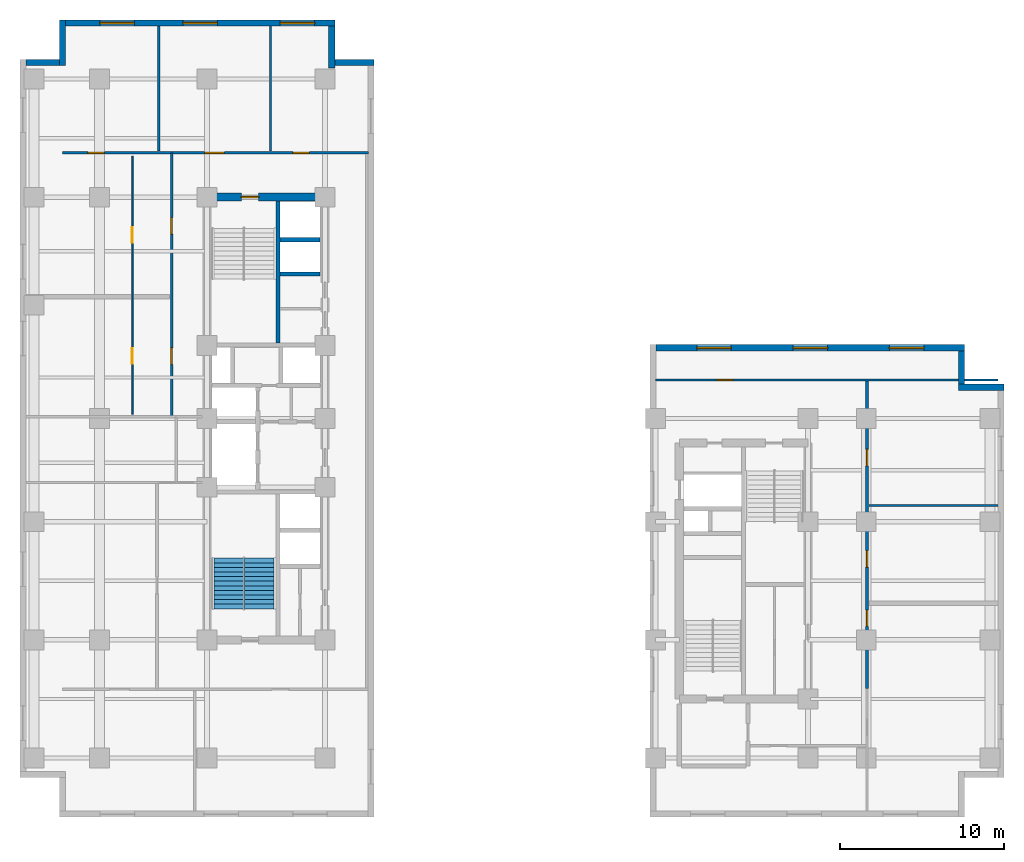
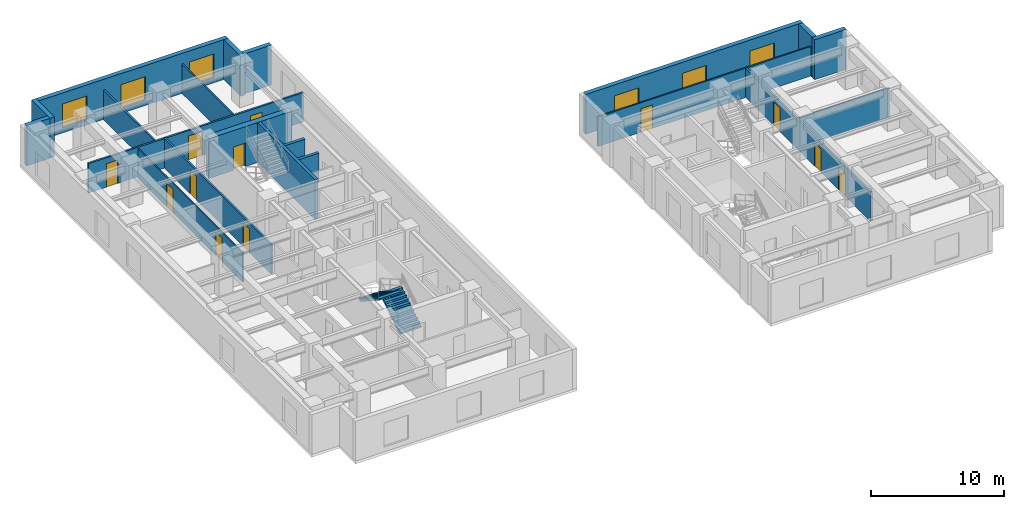
# One storey, part 5 of 9: 20 walls, 12 doors, 6 windows, 2 stair flights, 18 openings, 1 element without a shape of its own.
"""IFC4 building model written with IfcOpenShell, lengths in metres."""

import ifcopenshell
import ifcopenshell.guid

model = None  # the IFC model being written
_history = None  # IfcOwnerHistory: only IFC2X3 demands one
_inside = {}  # id of a spatial element -> (the spatial element, [elements in it])
_under = {}  # id of a project, library or spatial element -> (it, [spatial elements below it])
_declared = {}  # id of a project -> (the project, [libraries it declares])
_typed = {}  # id of a type object -> (the type object, [elements of that type])
_made_of = {}  # id of a material, layer set ... -> (it, [elements and type objects made of it])


def new_model(schema):
    """Start an empty IFC model of exactly this schema.

    Asked for "IFC4X3", IfcOpenShell would pick the latest addendum, in which some entities
    have other attributes; the version numbers below select the first issue.
    IFC2X3 requires an IfcOwnerHistory on every rooted entity: one is made here for all.
    """
    global model, _history
    if schema == "IFC4X3":
        model = ifcopenshell.file(schema_version=(4, 3, 0, 0))
    else:
        model = ifcopenshell.file(schema=schema)
    _inside.clear()
    _under.clear()
    _declared.clear()
    _typed.clear()
    _made_of.clear()
    _history = None
    if model.schema == "IFC2X3":
        org = make("IfcOrganization", Name="unknown")
        user = make(
            "IfcPersonAndOrganization",
            ThePerson=make("IfcPerson", FamilyName="unknown"),
            TheOrganization=org,
        )
        app = make(
            "IfcApplication",
            ApplicationDeveloper=org,
            Version="unknown",
            ApplicationFullName="unknown",
            ApplicationIdentifier="unknown",
        )
        _history = make(
            "IfcOwnerHistory",
            OwningUser=user,
            OwningApplication=app,
            ChangeAction="ADDED",
            CreationDate=0,
        )
    return model


def make(cls, **values):
    """One entity of the class cls with the attributes given. An attribute that is None is left unset."""
    return model.create_entity(
        cls, **{name: value for name, value in values.items() if value is not None}
    )


def entity(cls, *values):
    """Any entity or typed value of the class cls, its attributes in the order of the schema. None: left unset."""
    e = model.create_entity(cls)
    for i, value in enumerate(values):
        if value is not None:
            e[i] = value
    return e


def rooted(cls, **values):
    """An entity with a GlobalId (a new one), such as an element, a storey or a relation."""
    return make(cls, GlobalId=ifcopenshell.guid.new(), OwnerHistory=_history, **values)


def si_unit(unit_type, name, prefix=None):
    """IfcSIUnit, for example si_unit("LENGTHUNIT", "METRE", prefix="MILLI")."""
    return make("IfcSIUnit", UnitType=unit_type, Prefix=prefix, Name=name)


def converted_unit(unit_type, name, factor, base, dimensions=None, offset=None):
    """IfcConversionBasedUnit, such as the inch: factor (a typed value) times the base unit."""
    return make(
        "IfcConversionBasedUnit"
        if offset is None
        else "IfcConversionBasedUnitWithOffset",
        ConversionOffset=offset,
        Dimensions=None
        if dimensions is None
        else entity("IfcDimensionalExponents", *dimensions),
        UnitType=unit_type,
        Name=name,
        ConversionFactor=make(
            "IfcMeasureWithUnit", ValueComponent=factor, UnitComponent=base
        ),
    )


def assignment(units):
    """IfcUnitAssignment: the units of a project."""
    return None if units is None else make("IfcUnitAssignment", Units=units)


def point(xyz):
    """IfcCartesianPoint."""
    return None if xyz is None else make("IfcCartesianPoint", Coordinates=xyz)


def direction(xyz):
    """IfcDirection."""
    return None if xyz is None else make("IfcDirection", DirectionRatios=xyz)


def frame(location, z_axis=None, x_axis=None):
    """IfcAxis2Placement3D, a coordinate frame: its origin and axes. An axis left out is left unset."""
    return make(
        "IfcAxis2Placement3D",
        Location=point(location),
        Axis=direction(z_axis),
        RefDirection=direction(x_axis),
    )


def frame_2d(location, x_axis=None):
    """IfcAxis2Placement2D, a coordinate frame in the plane: its origin and x axis."""
    return make(
        "IfcAxis2Placement2D", Location=point(location), RefDirection=direction(x_axis)
    )


def origin_with_axes():
    """The frame at (0, 0, 0) with the z axis (0, 0, 1) and the x axis (1, 0, 0) written out."""
    return frame((0.0, 0.0, 0.0), z_axis=(0.0, 0.0, 1.0), x_axis=(1.0, 0.0, 0.0))


def origin_2d_with_axis():
    """The frame at (0, 0) in the plane with the x axis (1, 0) written out."""
    return frame_2d((0.0, 0.0), x_axis=(1.0, 0.0))


def place(relative_to, where):
    """IfcLocalPlacement: puts the frame where relative to a parent placement (None: the world)."""
    return make(
        "IfcLocalPlacement", PlacementRelTo=relative_to, RelativePlacement=where
    )


def context(
    kind, dimensions, precision=None, world=None, true_north=None, identifier=None
):
    """IfcGeometricRepresentationContext, for example the 3D "Model" context."""
    return make(
        "IfcGeometricRepresentationContext",
        ContextIdentifier=identifier,
        ContextType=kind,
        CoordinateSpaceDimension=dimensions,
        Precision=precision,
        WorldCoordinateSystem=world,
        TrueNorth=true_north,
    )


def subcontext(parent, identifier, kind, view, scale=None):
    """IfcGeometricRepresentationSubContext, for example "Body" below "Model"."""
    return make(
        "IfcGeometricRepresentationSubContext",
        ContextIdentifier=identifier,
        ContextType=kind,
        ParentContext=parent,
        TargetScale=scale,
        TargetView=view,
    )


def project(units=None, contexts=None):
    """IfcProject with its units and contexts."""
    return rooted(
        "IfcProject",
        Name="project",
        RepresentationContexts=contexts,
        UnitsInContext=assignment(units),
    )


def spatial(cls, under=None, at=None, **own):
    """A site, building, storey or space (cls), placed at a placement, below another one or the project."""
    s = rooted(cls, ObjectPlacement=at, **own)
    if under is not None:
        _under.setdefault(under.id(), (under, []))[1].append(s)
    return s


def polyline(points):
    """IfcPolyline through the points."""
    return make("IfcPolyline", Points=[point(p) for p in points])


def profile(cls, at=None, kind="AREA", **sizes):
    """A parametric profile (cls). Its sizes go by their IFC names, for example OverallWidth=200.0."""
    return make(cls, ProfileType=kind, Position=at, **sizes)


def rectangle(**sizes):
    """IfcRectangleProfileDef."""
    return profile("IfcRectangleProfileDef", **sizes)


def outline(outer, holes=None, kind="AREA"):
    """IfcArbitraryClosedProfileDef: a profile drawn as a closed curve; with holes, ...WithVoids."""
    if holes is None:
        return make("IfcArbitraryClosedProfileDef", ProfileType=kind, OuterCurve=outer)
    return make(
        "IfcArbitraryProfileDefWithVoids",
        ProfileType=kind,
        OuterCurve=outer,
        InnerCurves=holes,
    )


def extrude(swept, where, along, depth):
    """IfcExtrudedAreaSolid: the profile swept, set in the frame where, extruded along a direction by depth."""
    return make(
        "IfcExtrudedAreaSolid",
        SweptArea=swept,
        Position=where,
        ExtrudedDirection=direction(along),
        Depth=depth,
    )


def shape(context_of_items, identifier, shape_type, items):
    """IfcShapeRepresentation: the items that make up one representation, for example the "Body"."""
    return make(
        "IfcShapeRepresentation",
        ContextOfItems=context_of_items,
        RepresentationIdentifier=identifier,
        RepresentationType=shape_type,
        Items=items,
    )


def material(Name=None, Category=None):
    """IfcMaterial."""
    return make("IfcMaterial", Name=Name, Category=Category)


def layer(
    of_material, thickness, ventilated=None, Name=None, Category=None, Priority=None
):
    """IfcMaterialLayer: one layer of a wall or slab, of a material (None: an air gap)."""
    return make(
        "IfcMaterialLayer",
        Material=of_material,
        LayerThickness=thickness,
        IsVentilated=ventilated,
        Name=Name,
        Category=Category,
        Priority=Priority,
    )


def layer_set(layers, Name=None):
    """IfcMaterialLayerSet."""
    return make("IfcMaterialLayerSet", MaterialLayers=layers, LayerSetName=Name)


def made_of(thing, what):
    """Note that an element or type object is made of a material, layer set ...; save() writes the relation."""
    if what is not None:
        _made_of.setdefault(what.id(), (what, []))[1].append(thing)
    return thing


def type_object(cls, material=None, **own):
    """A type object (cls), such as IfcWallType, which elements share."""
    return made_of(rooted(cls, **own), material)


def element(
    cls,
    number,
    at=None,
    inside=None,
    cuts=None,
    type_object=None,
    material=None,
    context=None,
    identifier="Body",
    shape_type=None,
    held_by="IfcProductDefinitionShape",
    body=None,
    shapes=None,
    **own,
):
    """One element of the class cls, such as IfcWall. Its Tag is "e" and its number.

    at: its placement. inside: the storey or other place that contains it. cuts: it is an
    opening in that element (IfcRelVoidsElement). A single representation is given by context,
    identifier, shape_type and body (its items); several are given by shapes. held_by: the class
    of the entity that holds the representations. save() writes the other relations.
    """
    e = rooted(cls, Tag="e%d" % number, ObjectPlacement=at, **own)
    if body is not None:
        shapes = [shape(context, identifier, shape_type, body)]
    if shapes is not None:
        e.Representation = make(held_by, Representations=shapes)
    if inside is not None:
        _inside.setdefault(inside.id(), (inside, []))[1].append(e)
    if cuts is not None:
        rooted(
            "IfcRelVoidsElement", RelatingBuildingElement=cuts, RelatedOpeningElement=e
        )
    if type_object is not None:
        _typed.setdefault(type_object.id(), (type_object, []))[1].append(e)
    return made_of(e, material)


def fill(opening, filler):
    """IfcRelFillsElement: the door or window that sits in an opening."""
    return rooted(
        "IfcRelFillsElement",
        RelatingOpeningElement=opening,
        RelatedBuildingElement=filler,
    )


def aggregate(whole, parts):
    """IfcRelAggregates: a whole, such as a stair, and the parts it consists of."""
    return rooted("IfcRelAggregates", RelatingObject=whole, RelatedObjects=parts)


def save(model, path):
    """Write the relations noted so far, then the file.

    IfcRelAggregates (storeys below a building ...), IfcRelContainedInSpatialStructure (elements
    in a storey), IfcRelDefinesByType, IfcRelAssociatesMaterial and IfcRelDeclares: one each for
    every whole, place, type object, material and project.
    """
    for whole, parts in _under.values():
        aggregate(whole, parts)
    for where, things in _inside.values():
        rooted(
            "IfcRelContainedInSpatialStructure",
            RelatedElements=things,
            RelatingStructure=where,
        )
    for kind, things in _typed.values():
        rooted("IfcRelDefinesByType", RelatedObjects=things, RelatingType=kind)
    for what, things in _made_of.values():
        rooted("IfcRelAssociatesMaterial", RelatedObjects=things, RelatingMaterial=what)
    for by, libraries in _declared.values():
        rooted("IfcRelDeclares", RelatingContext=by, RelatedDefinitions=libraries)
    model.write(path)


model = new_model("IFC4")

# Units and contexts
model_context = context("Model", 3, precision=1e-05, world=origin_with_axes(), true_north=direction((0.0, 1.0)))
body_context = subcontext(model_context, "Body", "Model", "MODEL_VIEW")
ifc_project = project(units=[si_unit("LENGTHUNIT", "METRE"), si_unit("AREAUNIT", "SQUARE_METRE"), si_unit("VOLUMEUNIT", "CUBIC_METRE"), converted_unit("PLANEANGLEUNIT", "DEGREE", entity("IfcPlaneAngleMeasure", 0.017453292519943295), si_unit("PLANEANGLEUNIT", "RADIAN"), dimensions=[0, 0, 0, 0, 0, 0, 0]), si_unit("MASSUNIT", "GRAM", prefix="KILO"), si_unit("THERMODYNAMICTEMPERATUREUNIT", "KELVIN")], contexts=[model_context])

# Site, building, storey
site_placement = place(None, origin_with_axes())
site = spatial("IfcSite", under=ifc_project, at=site_placement, CompositionType="ELEMENT")
building_placement = place(site_placement, origin_with_axes())
building = spatial("IfcBuilding", under=site, at=building_placement, Name="Varnlund Millrace Tower", CompositionType="ELEMENT")
storey_placement = place(building_placement, frame((0.0, 0.0, 112.5), z_axis=(0.0, 0.0, 1.0), x_axis=(1.0, 0.0, 0.0)))
storey = spatial("IfcBuildingStorey", under=building, at=storey_placement, Name="L27", CompositionType="ELEMENT", Elevation=112.5)

# Wall, opening, door
ifc_material_1 = material(Name="Concrete C70/85", Category="concrete")
ifc_layer_1 = layer(ifc_material_1, 0.5, Name="Concrete C70/85")
ifc_layer_set_1 = layer_set([ifc_layer_1], Name="Concrete C70/85")
wall_type_1 = type_object("IfcWallType", Name="Type-CoreWall-Shear-500-C70", PredefinedType="SHEAR", material=ifc_layer_set_1)
wall_1_placement = place(storey_placement, frame((11.4, 37.8, 0.0), z_axis=(0.0, 0.0, 1.0), x_axis=(1.0, 0.0, 0.0)))
wall_1 = element("IfcWall", 1, at=wall_1_placement, inside=storey, type_object=wall_type_1, Name="Type-CoreWall-Shear-500-C70", PredefinedType="SHEAR", context=body_context, shape_type="SweptSolid", body=[
    extrude(outline(polyline([(0.0, -0.25), (7.2, -0.25), (7.2, 0.25), (0.0, 0.25), (0.0, -0.25)])), origin_with_axes(), (0.0, 0.0, 1.0), 3.66),
])
opening_1_placement = place(wall_1_placement, frame((2.625, 0.0, 0.0), z_axis=(0.0, 0.0, 1.0), x_axis=(1.0, 0.0, 0.0)))
opening_1 = element("IfcOpeningElement", 2, at=opening_1_placement, cuts=wall_1, Name="Opening L27:DR-STA2", PredefinedType="OPENING", context=body_context, shape_type="SweptSolid", body=[
    extrude(rectangle(XDim=1.05, YDim=0.52, at=origin_2d_with_axis()), origin_with_axes(), (0.0, 0.0, 1.0), 2.15),
])
ifc_material_2 = material(Name="Fire-rated hollow steel door", Category="steel")
door_type_1 = type_object("IfcDoorType", Name="Type-FireDoor-Stair-1050X2150", OperationType="NOTDEFINED", PredefinedType="DOOR", material=ifc_material_2)
door_1_placement = place(wall_1_placement, frame((2.625, 0.0, 0.0), z_axis=(0.0, 0.0, 1.0), x_axis=(1.0, 0.0, 0.0)))
door_1 = element("IfcDoor", 3, at=door_1_placement, inside=storey, type_object=door_type_1, Name="Type-FireDoor-Stair-1050X2150", OperationType="SINGLE_SWING_RIGHT", OverallHeight=2.15, OverallWidth=1.05, PredefinedType="DOOR", context=body_context, shape_type="SweptSolid", body=[
    extrude(rectangle(XDim=1.05, YDim=0.09, at=origin_2d_with_axis()), origin_with_axes(), (0.0, 0.0, 1.0), 2.15),
])
fill(opening_1, door_1)

# Walls
ifc_material_3 = material(Name="Precast concrete C50/60", Category="concrete")
ifc_layer_2 = layer(ifc_material_3, 0.38, Name="Precast concrete C50/60")
ifc_layer_set_2 = layer_set([ifc_layer_2], Name="Precast concrete C50/60")
wall_type_2 = type_object("IfcWallType", Name="Type-ExtWall-Precast-Tube-380", PredefinedType="SOLIDWALL", material=ifc_layer_set_2)
wall_2_placement = place(storey_placement, frame((0.38, 46.01, 0.0), z_axis=(0.0, 0.0, 1.0), x_axis=(1.0, 0.0, 0.0)))
element("IfcWall", 4, at=wall_2_placement, inside=storey, type_object=wall_type_2, Name="Type-ExtWall-Precast-Tube-380", PredefinedType="SOLIDWALL", context=body_context, shape_type="SweptSolid", body=[
    extrude(outline(polyline([(0.0, -0.19), (2.02, -0.19), (2.02, 0.19), (0.0, 0.19), (0.0, -0.19)])), origin_with_axes(), (0.0, 0.0, 1.0), 3.66),
])
wall_3_placement = place(storey_placement, frame((2.59, 45.82, 0.0), z_axis=(0.0, 0.0, 1.0), x_axis=(0.0, 1.0, 0.0)))
element("IfcWall", 5, at=wall_3_placement, inside=storey, type_object=wall_type_2, Name="Type-ExtWall-Precast-Tube-380", PredefinedType="SOLIDWALL", context=body_context, shape_type="SweptSolid", body=[
    extrude(outline(polyline([(0.0, -0.19), (2.78, -0.19), (2.78, 0.19), (0.0, 0.19), (0.0, -0.19)])), origin_with_axes(), (0.0, 0.0, 1.0), 3.66),
])

# Wall, openings, windows
wall_4_placement = place(storey_placement, frame((2.78, 48.41, 0.0), z_axis=(0.0, 0.0, 1.0), x_axis=(1.0, 0.0, 0.0)))
wall_4 = element("IfcWall", 6, at=wall_4_placement, inside=storey, type_object=wall_type_2, Name="Type-ExtWall-Precast-Tube-380", PredefinedType="SOLIDWALL", context=body_context, shape_type="SweptSolid", body=[
    extrude(outline(polyline([(0.0, -0.19), (16.42, -0.19), (16.42, 0.19), (0.0, 0.19), (0.0, -0.19)])), origin_with_axes(), (0.0, 0.0, 1.0), 3.66),
])
opening_2_placement = place(wall_4_placement, frame((3.137, 0.0, 0.45), z_axis=(0.0, 0.0, 1.0), x_axis=(1.0, 0.0, 0.0)))
opening_2 = element("IfcOpeningElement", 7, at=opening_2_placement, cuts=wall_4, Name="Opening L27:WN-06", PredefinedType="OPENING", context=body_context, shape_type="SweptSolid", body=[
    extrude(rectangle(XDim=2.1, YDim=0.4, at=origin_2d_with_axis()), origin_with_axes(), (0.0, 0.0, 1.0), 2.2),
])
opening_3_placement = place(wall_4_placement, frame((8.21, 0.0, 0.45), z_axis=(0.0, 0.0, 1.0), x_axis=(1.0, 0.0, 0.0)))
opening_3 = element("IfcOpeningElement", 8, at=opening_3_placement, cuts=wall_4, Name="Opening L27:WN-07", PredefinedType="OPENING", context=body_context, shape_type="SweptSolid", body=[
    extrude(rectangle(XDim=2.1, YDim=0.4, at=origin_2d_with_axis()), origin_with_axes(), (0.0, 0.0, 1.0), 2.2),
])
opening_4_placement = place(wall_4_placement, frame((14.133, 0.0, 0.45), z_axis=(0.0, 0.0, 1.0), x_axis=(1.0, 0.0, 0.0)))
opening_4 = element("IfcOpeningElement", 9, at=opening_4_placement, cuts=wall_4, Name="Opening L27:WN-08", PredefinedType="OPENING", context=body_context, shape_type="SweptSolid", body=[
    extrude(rectangle(XDim=2.1, YDim=0.4, at=origin_2d_with_axis()), origin_with_axes(), (0.0, 0.0, 1.0), 2.2),
])
ifc_material_4 = material(Name="Argon low-e triple glazing in thermally broken bronze frame", Category="glass")
window_type = type_object("IfcWindowType", Name="Type-Window-Punched-2100X2200", PartitioningType="SINGLE_PANEL", PredefinedType="WINDOW", material=ifc_material_4)
window_1_placement = place(wall_4_placement, frame((3.137, 0.0, 0.45), z_axis=(0.0, 0.0, 1.0), x_axis=(1.0, 0.0, 0.0)))
window_1 = element("IfcWindow", 10, at=window_1_placement, inside=storey, type_object=window_type, Name="Type-Window-Punched-2100X2200", OverallHeight=2.2, OverallWidth=2.1, PredefinedType="WINDOW", context=body_context, shape_type="SweptSolid", body=[
    extrude(rectangle(XDim=2.1, YDim=0.09, at=origin_2d_with_axis()), origin_with_axes(), (0.0, 0.0, 1.0), 2.2),
])
fill(opening_2, window_1)
window_2_placement = place(wall_4_placement, frame((8.21, 0.0, 0.45), z_axis=(0.0, 0.0, 1.0), x_axis=(1.0, 0.0, 0.0)))
window_2 = element("IfcWindow", 11, at=window_2_placement, inside=storey, type_object=window_type, Name="Type-Window-Punched-2100X2200", OverallHeight=2.2, OverallWidth=2.1, PredefinedType="WINDOW", context=body_context, shape_type="SweptSolid", body=[
    extrude(rectangle(XDim=2.1, YDim=0.09, at=origin_2d_with_axis()), origin_with_axes(), (0.0, 0.0, 1.0), 2.2),
])
fill(opening_3, window_2)
window_3_placement = place(wall_4_placement, frame((14.133, 0.0, 0.45), z_axis=(0.0, 0.0, 1.0), x_axis=(1.0, 0.0, 0.0)))
window_3 = element("IfcWindow", 12, at=window_3_placement, inside=storey, type_object=window_type, Name="Type-Window-Punched-2100X2200", OverallHeight=2.2, OverallWidth=2.1, PredefinedType="WINDOW", context=body_context, shape_type="SweptSolid", body=[
    extrude(rectangle(XDim=2.1, YDim=0.09, at=origin_2d_with_axis()), origin_with_axes(), (0.0, 0.0, 1.0), 2.2),
])
fill(opening_4, window_3)

# Walls
wall_5_placement = place(storey_placement, frame((19.01, 48.22, 0.0), z_axis=(0.0, 0.0, 1.0), x_axis=(0.0, -1.0, 0.0)))
element("IfcWall", 13, at=wall_5_placement, inside=storey, type_object=wall_type_2, Name="Type-ExtWall-Precast-Tube-380", PredefinedType="SOLIDWALL", context=body_context, shape_type="SweptSolid", body=[
    extrude(outline(polyline([(0.0, -0.19), (2.56, -0.19), (2.56, 0.19), (0.0, 0.19), (0.0, -0.19)])), origin_with_axes(), (0.0, 0.0, 1.0), 3.66),
])
wall_6_placement = place(storey_placement, frame((18.82, 46.01, 0.0), z_axis=(0.0, 0.0, 1.0), x_axis=(1.0, 0.0, 0.0)))
element("IfcWall", 14, at=wall_6_placement, inside=storey, type_object=wall_type_2, Name="Type-ExtWall-Precast-Tube-380", PredefinedType="SOLIDWALL", context=body_context, shape_type="SweptSolid", body=[
    extrude(outline(polyline([(0.0, -0.19), (2.78, -0.19), (2.78, 0.19), (0.0, 0.19), (0.0, -0.19)])), origin_with_axes(), (0.0, 0.0, 1.0), 3.66),
])

# Wall, openings, windows
wall_7_placement = place(storey_placement, frame((38.78, 28.61, 0.0), z_axis=(0.0, 0.0, 1.0), x_axis=(1.0, 0.0, 0.0)))
wall_7 = element("IfcWall", 15, at=wall_7_placement, inside=storey, type_object=wall_type_2, Name="Type-ExtWall-Precast-Tube-380", PredefinedType="SOLIDWALL", context=body_context, shape_type="SweptSolid", body=[
    extrude(outline(polyline([(0.0, -0.19), (18.82, -0.19), (18.82, 0.19), (0.0, 0.19), (0.0, -0.19)])), origin_with_axes(), (0.0, 0.0, 1.0), 3.66),
])
opening_5_placement = place(wall_7_placement, frame((3.537, 0.0, 0.45), z_axis=(0.0, 0.0, 1.0), x_axis=(1.0, 0.0, 0.0)))
opening_5 = element("IfcOpeningElement", 16, at=opening_5_placement, cuts=wall_7, Name="Opening L27:WN-14", PredefinedType="OPENING", context=body_context, shape_type="SweptSolid", body=[
    extrude(rectangle(XDim=2.1, YDim=0.4, at=origin_2d_with_axis()), origin_with_axes(), (0.0, 0.0, 1.0), 2.2),
])
opening_6_placement = place(wall_7_placement, frame((9.41, 0.0, 0.45), z_axis=(0.0, 0.0, 1.0), x_axis=(1.0, 0.0, 0.0)))
opening_6 = element("IfcOpeningElement", 17, at=opening_6_placement, cuts=wall_7, Name="Opening L27:WN-15", PredefinedType="OPENING", context=body_context, shape_type="SweptSolid", body=[
    extrude(rectangle(XDim=2.1, YDim=0.4, at=origin_2d_with_axis()), origin_with_axes(), (0.0, 0.0, 1.0), 2.2),
])
opening_7_placement = place(wall_7_placement, frame((15.283, 0.0, 0.45), z_axis=(0.0, 0.0, 1.0), x_axis=(1.0, 0.0, 0.0)))
opening_7 = element("IfcOpeningElement", 18, at=opening_7_placement, cuts=wall_7, Name="Opening L27:WN-16", PredefinedType="OPENING", context=body_context, shape_type="SweptSolid", body=[
    extrude(rectangle(XDim=2.1, YDim=0.4, at=origin_2d_with_axis()), origin_with_axes(), (0.0, 0.0, 1.0), 2.2),
])
window_4_placement = place(wall_7_placement, frame((3.537, 0.0, 0.45), z_axis=(0.0, 0.0, 1.0), x_axis=(1.0, 0.0, 0.0)))
window_4 = element("IfcWindow", 19, at=window_4_placement, inside=storey, type_object=window_type, Name="Type-Window-Punched-2100X2200", OverallHeight=2.2, OverallWidth=2.1, PredefinedType="WINDOW", context=body_context, shape_type="SweptSolid", body=[
    extrude(rectangle(XDim=2.1, YDim=0.09, at=origin_2d_with_axis()), origin_with_axes(), (0.0, 0.0, 1.0), 2.2),
])
fill(opening_5, window_4)
window_5_placement = place(wall_7_placement, frame((9.41, 0.0, 0.45), z_axis=(0.0, 0.0, 1.0), x_axis=(1.0, 0.0, 0.0)))
window_5 = element("IfcWindow", 20, at=window_5_placement, inside=storey, type_object=window_type, Name="Type-Window-Punched-2100X2200", OverallHeight=2.2, OverallWidth=2.1, PredefinedType="WINDOW", context=body_context, shape_type="SweptSolid", body=[
    extrude(rectangle(XDim=2.1, YDim=0.09, at=origin_2d_with_axis()), origin_with_axes(), (0.0, 0.0, 1.0), 2.2),
])
fill(opening_6, window_5)
window_6_placement = place(wall_7_placement, frame((15.283, 0.0, 0.45), z_axis=(0.0, 0.0, 1.0), x_axis=(1.0, 0.0, 0.0)))
window_6 = element("IfcWindow", 21, at=window_6_placement, inside=storey, type_object=window_type, Name="Type-Window-Punched-2100X2200", OverallHeight=2.2, OverallWidth=2.1, PredefinedType="WINDOW", context=body_context, shape_type="SweptSolid", body=[
    extrude(rectangle(XDim=2.1, YDim=0.09, at=origin_2d_with_axis()), origin_with_axes(), (0.0, 0.0, 1.0), 2.2),
])
fill(opening_7, window_6)

# Walls
wall_8_placement = place(storey_placement, frame((57.41, 28.42, 0.0), z_axis=(0.0, 0.0, 1.0), x_axis=(0.0, -1.0, 0.0)))
element("IfcWall", 22, at=wall_8_placement, inside=storey, type_object=wall_type_2, Name="Type-ExtWall-Precast-Tube-380", PredefinedType="SOLIDWALL", context=body_context, shape_type="SweptSolid", body=[
    extrude(outline(polyline([(0.0, -0.19), (2.02, -0.19), (2.02, 0.19), (0.0, 0.19), (0.0, -0.19)])), origin_with_axes(), (0.0, 0.0, 1.0), 3.66),
])
wall_9_placement = place(storey_placement, frame((57.22, 26.21, 0.0), z_axis=(0.0, 0.0, 1.0), x_axis=(1.0, 0.0, 0.0)))
element("IfcWall", 23, at=wall_9_placement, inside=storey, type_object=wall_type_2, Name="Type-ExtWall-Precast-Tube-380", PredefinedType="SOLIDWALL", context=body_context, shape_type="SweptSolid", body=[
    extrude(outline(polyline([(0.0, -0.19), (2.78, -0.19), (2.78, 0.19), (0.0, 0.19), (0.0, -0.19)])), origin_with_axes(), (0.0, 0.0, 1.0), 3.66),
])

# Wall, openings, doors
ifc_material_5 = material(Name="Fire-rated gypsum board on cold-formed steel framing", Category="steel")
ifc_layer_3 = layer(ifc_material_5, 0.16, Name="Fire-rated gypsum board on cold-formed steel framing")
ifc_layer_set_3 = layer_set([ifc_layer_3], Name="Fire-rated gypsum board on cold-formed steel framing")
wall_type_3 = type_object("IfcWallType", Name="Type-Partition-Corridor-160", PredefinedType="PARTITIONING", material=ifc_layer_set_3)
wall_10_placement = place(storey_placement, frame((2.6, 40.5, 0.0), z_axis=(0.0, 0.0, 1.0), x_axis=(1.0, 0.0, 0.0)))
wall_10 = element("IfcWall", 24, at=wall_10_placement, inside=storey, type_object=wall_type_3, Name="Type-Partition-Corridor-160", PredefinedType="PARTITIONING", context=body_context, shape_type="SweptSolid", body=[
    extrude(outline(polyline([(0.0, -0.08), (18.65, -0.08), (18.65, 0.08), (0.0, 0.08), (0.0, -0.08)])), origin_with_axes(), (0.0, 0.0, 1.0), 2.7),
])
opening_8_placement = place(wall_10_placement, frame((2.045, 0.0, 0.0), z_axis=(0.0, 0.0, 1.0), x_axis=(1.0, 0.0, 0.0)))
opening_8 = element("IfcOpeningElement", 25, at=opening_8_placement, cuts=wall_10, Name="Opening L27:DR-WAN-01", PredefinedType="OPENING", context=body_context, shape_type="SweptSolid", body=[
    extrude(rectangle(XDim=1.0, YDim=0.18, at=origin_2d_with_axis()), origin_with_axes(), (0.0, 0.0, 1.0), 2.15),
])
opening_9_placement = place(wall_10_placement, frame((9.261, 0.0, 0.0), z_axis=(0.0, 0.0, 1.0), x_axis=(1.0, 0.0, 0.0)))
opening_9 = element("IfcOpeningElement", 26, at=opening_9_placement, cuts=wall_10, Name="Opening L27:DR-WAN-02", PredefinedType="OPENING", context=body_context, shape_type="SweptSolid", body=[
    extrude(rectangle(XDim=1.2, YDim=0.18, at=origin_2d_with_axis()), origin_with_axes(), (0.0, 0.0, 1.0), 2.2),
])
opening_10_placement = place(wall_10_placement, frame((14.541, 0.0, 0.0), z_axis=(0.0, 0.0, 1.0), x_axis=(1.0, 0.0, 0.0)))
opening_10 = element("IfcOpeningElement", 27, at=opening_10_placement, cuts=wall_10, Name="Opening L27:DR-WAN-03", PredefinedType="OPENING", context=body_context, shape_type="SweptSolid", body=[
    extrude(rectangle(XDim=1.0, YDim=0.18, at=origin_2d_with_axis()), origin_with_axes(), (0.0, 0.0, 1.0), 2.15),
])
ifc_material_6 = material(Name="Wide executive white oak acoustic door")
door_type_2 = type_object("IfcDoorType", Name="Type-IntDoor-Exec-1200X2200", OperationType="NOTDEFINED", PredefinedType="DOOR", material=ifc_material_6)
door_2_placement = place(wall_10_placement, frame((9.261, 0.0, 0.0), z_axis=(0.0, 0.0, 1.0), x_axis=(1.0, 0.0, 0.0)))
door_2 = element("IfcDoor", 28, at=door_2_placement, inside=storey, type_object=door_type_2, Name="Type-IntDoor-Exec-1200X2200", OperationType="SINGLE_SWING_RIGHT", OverallHeight=2.2, OverallWidth=1.2, PredefinedType="DOOR", context=body_context, shape_type="SweptSolid", body=[
    extrude(rectangle(XDim=1.2, YDim=0.09, at=origin_2d_with_axis()), origin_with_axes(), (0.0, 0.0, 1.0), 2.2),
])
fill(opening_9, door_2)
ifc_material_7 = material(Name="Solid-core white oak and bronze frame door")
door_type_3 = type_object("IfcDoorType", Name="Type-IntDoor-Office-1000X2150", OperationType="NOTDEFINED", PredefinedType="DOOR", material=ifc_material_7)
door_3_placement = place(wall_10_placement, frame((2.045, 0.0, 0.0), z_axis=(0.0, 0.0, 1.0), x_axis=(1.0, 0.0, 0.0)))
door_3 = element("IfcDoor", 29, at=door_3_placement, inside=storey, type_object=door_type_3, Name="Type-IntDoor-Office-1000X2150", OperationType="SINGLE_SWING_LEFT", OverallHeight=2.15, OverallWidth=1.0, PredefinedType="DOOR", context=body_context, shape_type="SweptSolid", body=[
    extrude(rectangle(XDim=1.0, YDim=0.09, at=origin_2d_with_axis()), origin_with_axes(), (0.0, 0.0, 1.0), 2.15),
])
fill(opening_8, door_3)
door_4_placement = place(wall_10_placement, frame((14.541, 0.0, 0.0), z_axis=(0.0, 0.0, 1.0), x_axis=(1.0, 0.0, 0.0)))
door_4 = element("IfcDoor", 30, at=door_4_placement, inside=storey, type_object=door_type_3, Name="Type-IntDoor-Office-1000X2150", OperationType="SINGLE_SWING_LEFT", OverallHeight=2.15, OverallWidth=1.0, PredefinedType="DOOR", context=body_context, shape_type="SweptSolid", body=[
    extrude(rectangle(XDim=1.0, YDim=0.09, at=origin_2d_with_axis()), origin_with_axes(), (0.0, 0.0, 1.0), 2.15),
])
fill(opening_10, door_4)

wall_11_placement = place(storey_placement, frame((9.25, 24.4, 0.0), z_axis=(0.0, 0.0, 1.0), x_axis=(0.0, 1.0, 0.0)))
wall_11 = element("IfcWall", 31, at=wall_11_placement, inside=storey, type_object=wall_type_3, Name="Type-Partition-Corridor-160", PredefinedType="PARTITIONING", context=body_context, shape_type="SweptSolid", body=[
    extrude(outline(polyline([(0.0, -0.08), (16.1, -0.08), (16.1, 0.08), (0.0, 0.08), (0.0, -0.08)])), origin_with_axes(), (0.0, 0.0, 1.0), 2.7),
])
opening_11_placement = place(wall_11_placement, frame((3.7045, 0.0, 0.0), z_axis=(0.0, 0.0, 1.0), x_axis=(1.0, 0.0, 0.0)))
opening_11 = element("IfcOpeningElement", 32, at=opening_11_placement, cuts=wall_11, Name="Opening L27:DR-WN-01", PredefinedType="OPENING", context=body_context, shape_type="SweptSolid", body=[
    extrude(rectangle(XDim=1.0, YDim=0.18, at=origin_2d_with_axis()), origin_with_axes(), (0.0, 0.0, 1.0), 2.15),
])
opening_12_placement = place(wall_11_placement, frame((11.6495, 0.0, 0.0), z_axis=(0.0, 0.0, 1.0), x_axis=(1.0, 0.0, 0.0)))
opening_12 = element("IfcOpeningElement", 33, at=opening_12_placement, cuts=wall_11, Name="Opening L27:DR-WN-02", PredefinedType="OPENING", context=body_context, shape_type="SweptSolid", body=[
    extrude(rectangle(XDim=1.0, YDim=0.18, at=origin_2d_with_axis()), origin_with_axes(), (0.0, 0.0, 1.0), 2.15),
])
door_5_placement = place(wall_11_placement, frame((3.7045, 0.0, 0.0), z_axis=(0.0, 0.0, 1.0), x_axis=(1.0, 0.0, 0.0)))
door_5 = element("IfcDoor", 34, at=door_5_placement, inside=storey, type_object=door_type_3, Name="Type-IntDoor-Office-1000X2150", OperationType="SINGLE_SWING_LEFT", OverallHeight=2.15, OverallWidth=1.0, PredefinedType="DOOR", context=body_context, shape_type="SweptSolid", body=[
    extrude(rectangle(XDim=1.0, YDim=0.09, at=origin_2d_with_axis()), origin_with_axes(), (0.0, 0.0, 1.0), 2.15),
])
fill(opening_11, door_5)
door_6_placement = place(wall_11_placement, frame((11.6495, 0.0, 0.0), z_axis=(0.0, 0.0, 1.0), x_axis=(1.0, 0.0, 0.0)))
door_6 = element("IfcDoor", 35, at=door_6_placement, inside=storey, type_object=door_type_3, Name="Type-IntDoor-Office-1000X2150", OperationType="SINGLE_SWING_RIGHT", OverallHeight=2.15, OverallWidth=1.0, PredefinedType="DOOR", context=body_context, shape_type="SweptSolid", body=[
    extrude(rectangle(XDim=1.0, YDim=0.09, at=origin_2d_with_axis()), origin_with_axes(), (0.0, 0.0, 1.0), 2.15),
])
fill(opening_12, door_6)

wall_12_placement = place(storey_placement, frame((51.65, 7.85, 0.0), z_axis=(0.0, 0.0, 1.0), x_axis=(0.0, 1.0, 0.0)))
wall_12 = element("IfcWall", 36, at=wall_12_placement, inside=storey, type_object=wall_type_3, Name="Type-Partition-Corridor-160", PredefinedType="PARTITIONING", context=body_context, shape_type="SweptSolid", body=[
    extrude(outline(polyline([(0.0, -0.08), (18.8, -0.08), (18.8, 0.08), (0.0, 0.08), (0.0, -0.08)])), origin_with_axes(), (0.0, 0.0, 1.0), 2.7),
])
opening_13_placement = place(wall_12_placement, frame((4.27, 0.0, 0.0), z_axis=(0.0, 0.0, 1.0), x_axis=(1.0, 0.0, 0.0)))
opening_13 = element("IfcOpeningElement", 37, at=opening_13_placement, cuts=wall_12, Name="Opening L27:DR-WB-01", PredefinedType="OPENING", context=body_context, shape_type="SweptSolid", body=[
    extrude(rectangle(XDim=1.0, YDim=0.18, at=origin_2d_with_axis()), origin_with_axes(), (0.0, 0.0, 1.0), 2.15),
])
opening_14_placement = place(wall_12_placement, frame((7.889, 0.0, 0.0), z_axis=(0.0, 0.0, 1.0), x_axis=(1.0, 0.0, 0.0)))
opening_14 = element("IfcOpeningElement", 38, at=opening_14_placement, cuts=wall_12, Name="Opening L27:DR-WB-02", PredefinedType="OPENING", context=body_context, shape_type="SweptSolid", body=[
    extrude(rectangle(XDim=1.0, YDim=0.18, at=origin_2d_with_axis()), origin_with_axes(), (0.0, 0.0, 1.0), 2.15),
])
opening_15_placement = place(wall_12_placement, frame((14.069, 0.0, 0.0), z_axis=(0.0, 0.0, 1.0), x_axis=(1.0, 0.0, 0.0)))
opening_15 = element("IfcOpeningElement", 39, at=opening_15_placement, cuts=wall_12, Name="Opening L27:DR-WB-03", PredefinedType="OPENING", context=body_context, shape_type="SweptSolid", body=[
    extrude(rectangle(XDim=1.0, YDim=0.18, at=origin_2d_with_axis()), origin_with_axes(), (0.0, 0.0, 1.0), 2.15),
])
door_7_placement = place(wall_12_placement, frame((4.27, 0.0, 0.0), z_axis=(0.0, 0.0, 1.0), x_axis=(1.0, 0.0, 0.0)))
door_7 = element("IfcDoor", 40, at=door_7_placement, inside=storey, type_object=door_type_3, Name="Type-IntDoor-Office-1000X2150", OperationType="SINGLE_SWING_LEFT", OverallHeight=2.15, OverallWidth=1.0, PredefinedType="DOOR", context=body_context, shape_type="SweptSolid", body=[
    extrude(rectangle(XDim=1.0, YDim=0.09, at=origin_2d_with_axis()), origin_with_axes(), (0.0, 0.0, 1.0), 2.15),
])
fill(opening_13, door_7)
door_8_placement = place(wall_12_placement, frame((7.889, 0.0, 0.0), z_axis=(0.0, 0.0, 1.0), x_axis=(1.0, 0.0, 0.0)))
door_8 = element("IfcDoor", 41, at=door_8_placement, inside=storey, type_object=door_type_3, Name="Type-IntDoor-Office-1000X2150", OperationType="SINGLE_SWING_RIGHT", OverallHeight=2.15, OverallWidth=1.0, PredefinedType="DOOR", context=body_context, shape_type="SweptSolid", body=[
    extrude(rectangle(XDim=1.0, YDim=0.09, at=origin_2d_with_axis()), origin_with_axes(), (0.0, 0.0, 1.0), 2.15),
])
fill(opening_14, door_8)
door_9_placement = place(wall_12_placement, frame((14.069, 0.0, 0.0), z_axis=(0.0, 0.0, 1.0), x_axis=(1.0, 0.0, 0.0)))
door_9 = element("IfcDoor", 42, at=door_9_placement, inside=storey, type_object=door_type_3, Name="Type-IntDoor-Office-1000X2150", OperationType="SINGLE_SWING_LEFT", OverallHeight=2.15, OverallWidth=1.0, PredefinedType="DOOR", context=body_context, shape_type="SweptSolid", body=[
    extrude(rectangle(XDim=1.0, YDim=0.09, at=origin_2d_with_axis()), origin_with_axes(), (0.0, 0.0, 1.0), 2.15),
])
fill(opening_15, door_9)

# Wall
ifc_material_8 = material(Name="Acoustic STC-50 gypsum board partition", Category="gypsum")
ifc_layer_4 = layer(ifc_material_8, 0.15, Name="Acoustic STC-50 gypsum board partition")
ifc_layer_set_4 = layer_set([ifc_layer_4], Name="Acoustic STC-50 gypsum board partition")
wall_type_4 = type_object("IfcWallType", Name="Type-Partition-Demising-150", PredefinedType="PARTITIONING", material=ifc_layer_set_4)
wall_13_placement = place(storey_placement, frame((8.46, 40.6, 0.0), z_axis=(0.0, 0.0, 1.0), x_axis=(0.0, 1.0, 0.0)))
element("IfcWall", 43, at=wall_13_placement, inside=storey, type_object=wall_type_4, Name="Type-Partition-Demising-150", PredefinedType="PARTITIONING", context=body_context, shape_type="SweptSolid", body=[
    extrude(outline(polyline([(0.0, -0.075), (7.64, -0.075), (7.64, 0.075), (0.0, 0.075), (0.0, -0.075)])), origin_with_axes(), (0.0, 0.0, 1.0), 2.7),
])

# Wall, openings, doors
ifc_material_9 = material(Name="Architectural bronze and acoustic glass office front", Category="glass")
ifc_layer_5 = layer(ifc_material_9, 0.1, Name="Architectural bronze and acoustic glass office front")
ifc_layer_set_5 = layer_set([ifc_layer_5], Name="Architectural bronze and acoustic glass office front")
wall_type_5 = type_object("IfcWallType", Name="Type-Partition-Glazed-100", PredefinedType="PARTITIONING", material=ifc_layer_set_5)
wall_14_placement = place(storey_placement, frame((6.85, 24.55, 0.0), z_axis=(0.0, 0.0, 1.0), x_axis=(0.0, 1.0, 0.0)))
wall_14 = element("IfcWall", 44, at=wall_14_placement, inside=storey, type_object=wall_type_5, Name="Type-Partition-Glazed-100", PredefinedType="PARTITIONING", context=body_context, shape_type="SweptSolid", body=[
    extrude(outline(polyline([(0.0, -0.05), (15.75, -0.05), (15.75, 0.05), (0.0, 0.05), (0.0, -0.05)])), origin_with_axes(), (0.0, 0.0, 1.0), 2.7),
])
opening_16_placement = place(wall_14_placement, frame((3.5545, 0.0, 0.0), z_axis=(0.0, 0.0, 1.0), x_axis=(1.0, 0.0, 0.0)))
opening_16 = element("IfcOpeningElement", 45, at=opening_16_placement, cuts=wall_14, Name="Opening L27:DR-WN-S01", PredefinedType="OPENING", context=body_context, shape_type="SweptSolid", body=[
    extrude(rectangle(XDim=0.95, YDim=0.12, at=origin_2d_with_axis()), origin_with_axes(), (0.0, 0.0, 1.0), 2.15),
])
opening_17_placement = place(wall_14_placement, frame((10.939, 0.0, 0.0), z_axis=(0.0, 0.0, 1.0), x_axis=(1.0, 0.0, 0.0)))
opening_17 = element("IfcOpeningElement", 46, at=opening_17_placement, cuts=wall_14, Name="Opening L27:DR-WN-S02", PredefinedType="OPENING", context=body_context, shape_type="SweptSolid", body=[
    extrude(rectangle(XDim=0.95, YDim=0.12, at=origin_2d_with_axis()), origin_with_axes(), (0.0, 0.0, 1.0), 2.15),
])
ifc_material_10 = material(Name="Solid-core acoustic office door")
door_type_4 = type_object("IfcDoorType", Name="Type-IntDoor-Tenant-950X2150", OperationType="NOTDEFINED", PredefinedType="DOOR", material=ifc_material_10)
door_10_placement = place(wall_14_placement, frame((3.5545, 0.0, 0.0), z_axis=(0.0, 0.0, 1.0), x_axis=(1.0, 0.0, 0.0)))
door_10 = element("IfcDoor", 47, at=door_10_placement, inside=storey, type_object=door_type_4, Name="Type-IntDoor-Tenant-950X2150", OperationType="SINGLE_SWING_LEFT", OverallHeight=2.15, OverallWidth=0.95, PredefinedType="DOOR", context=body_context, shape_type="SweptSolid", body=[
    extrude(rectangle(XDim=0.95, YDim=0.06, at=origin_2d_with_axis()), origin_with_axes(), (0.0, 0.0, 1.0), 2.15),
])
fill(opening_16, door_10)
door_11_placement = place(wall_14_placement, frame((10.939, 0.0, 0.0), z_axis=(0.0, 0.0, 1.0), x_axis=(1.0, 0.0, 0.0)))
door_11 = element("IfcDoor", 48, at=door_11_placement, inside=storey, type_object=door_type_4, Name="Type-IntDoor-Tenant-950X2150", OperationType="SINGLE_SWING_LEFT", OverallHeight=2.15, OverallWidth=0.95, PredefinedType="DOOR", context=body_context, shape_type="SweptSolid", body=[
    extrude(rectangle(XDim=0.95, YDim=0.06, at=origin_2d_with_axis()), origin_with_axes(), (0.0, 0.0, 1.0), 2.15),
])
fill(opening_17, door_11)

# Wall
ifc_material_11 = material(Name="Gypsum board tenant partition", Category="gypsum")
ifc_layer_6 = layer(ifc_material_11, 0.125, Name="Gypsum board tenant partition")
ifc_layer_set_6 = layer_set([ifc_layer_6], Name="Gypsum board tenant partition")
wall_type_6 = type_object("IfcWallType", Name="Type-Partition-Tenant-125", PredefinedType="PARTITIONING", material=ifc_layer_set_6)
wall_15_placement = place(storey_placement, frame((15.262, 40.6, 0.0), z_axis=(0.0, 0.0, 1.0), x_axis=(0.0, 1.0, 0.0)))
element("IfcWall", 49, at=wall_15_placement, inside=storey, type_object=wall_type_6, Name="Type-Partition-Tenant-125", PredefinedType="PARTITIONING", context=body_context, shape_type="SweptSolid", body=[
    extrude(outline(polyline([(0.0, -0.0625), (7.64, -0.0625), (7.64, 0.0625), (0.0, 0.0625), (0.0, -0.0625)])), origin_with_axes(), (0.0, 0.0, 1.0), 2.7),
])

# Wall, opening, door
wall_16_placement = place(storey_placement, frame((38.76, 26.65, 0.0), z_axis=(0.0, 0.0, 1.0), x_axis=(1.0, 0.0, 0.0)))
wall_16 = element("IfcWall", 50, at=wall_16_placement, inside=storey, type_object=wall_type_6, Name="Type-Partition-Tenant-125", PredefinedType="PARTITIONING", context=body_context, shape_type="SweptSolid", body=[
    extrude(outline(polyline([(0.0, -0.0625), (20.88, -0.0625), (20.88, 0.0625), (0.0, 0.0625), (0.0, -0.0625)])), origin_with_axes(), (0.0, 0.0, 1.0), 2.7),
])
opening_18_placement = place(wall_16_placement, frame((4.24, 0.0, 0.0), z_axis=(0.0, 0.0, 1.0), x_axis=(1.0, 0.0, 0.0)))
opening_18 = element("IfcOpeningElement", 51, at=opening_18_placement, cuts=wall_16, Name="Opening L27:DR-WBN-01", PredefinedType="OPENING", context=body_context, shape_type="SweptSolid", body=[
    extrude(rectangle(XDim=1.0, YDim=0.145, at=origin_2d_with_axis()), origin_with_axes(), (0.0, 0.0, 1.0), 2.15),
])
door_12_placement = place(wall_16_placement, frame((4.24, 0.0, 0.0), z_axis=(0.0, 0.0, 1.0), x_axis=(1.0, 0.0, 0.0)))
door_12 = element("IfcDoor", 52, at=door_12_placement, inside=storey, type_object=door_type_3, Name="Type-IntDoor-Office-1000X2150", OperationType="SINGLE_SWING_RIGHT", OverallHeight=2.15, OverallWidth=1.0, PredefinedType="DOOR", context=body_context, shape_type="SweptSolid", body=[
    extrude(rectangle(XDim=1.0, YDim=0.075, at=origin_2d_with_axis()), origin_with_axes(), (0.0, 0.0, 1.0), 2.15),
])
fill(opening_18, door_12)

# Walls
wall_17_placement = place(storey_placement, frame((51.77, 19.009, 0.0), z_axis=(0.0, 0.0, 1.0), x_axis=(1.0, 0.0, 0.0)))
element("IfcWall", 53, at=wall_17_placement, inside=storey, type_object=wall_type_6, Name="Type-Partition-Tenant-125", PredefinedType="PARTITIONING", context=body_context, shape_type="SweptSolid", body=[
    extrude(outline(polyline([(0.0, -0.0625), (7.855, -0.0625), (7.855, 0.0625), (0.0, 0.0625), (0.0, -0.0625)])), origin_with_axes(), (0.0, 0.0, 1.0), 2.7),
])
ifc_material_12 = material(Name="Concrete C60/75", Category="concrete")
ifc_layer_7 = layer(ifc_material_12, 0.25, Name="Concrete C60/75")
ifc_layer_set_7 = layer_set([ifc_layer_7], Name="Concrete C60/75")
wall_type_7 = type_object("IfcWallType", Name="Type-ShaftWall-Fire-250", PredefinedType="SOLIDWALL", material=ifc_layer_set_7)
for number, where, z_axis, x_axis, name in (
    (54, (15.84, 33.1, 0.0), (0.0, 0.0, 1.0), (1.0, 0.0, 0.0), "Type-ShaftWall-Fire-250"),
    (55, (15.84, 35.2, 0.0), (0.0, 0.0, 1.0), (1.0, 0.0, 0.0), "Type-ShaftWall-Fire-250"),
):
    element("IfcWall", number, at=place(storey_placement, frame(where, z_axis=z_axis, x_axis=x_axis)), inside=storey, type_object=wall_type_7, Name=name, PredefinedType="SOLIDWALL", context=body_context, shape_type="SweptSolid", body=[
        extrude(outline(polyline([(0.0, -0.125), (2.46, -0.125), (2.46, 0.125), (0.0, 0.125), (0.0, -0.125)])), origin_with_axes(), (0.0, 0.0, 1.0), 2.7),
    ])
wall_type_8 = type_object("IfcWallType", Name="Type-StairWall-Shear-250", PredefinedType="SHEAR", material=ifc_layer_set_7)
wall_18_placement = place(storey_placement, frame((15.725, 28.9, 0.0), z_axis=(0.0, 0.0, 1.0), x_axis=(0.0, 1.0, 0.0)))
element("IfcWall", 56, at=wall_18_placement, inside=storey, type_object=wall_type_8, Name="Type-StairWall-Shear-250", PredefinedType="SHEAR", context=body_context, shape_type="SweptSolid", body=[
    extrude(outline(polyline([(0.0, -0.125), (8.65, -0.125), (8.65, 0.125), (0.0, 0.125), (0.0, -0.125)])), origin_with_axes(), (0.0, 0.0, 1.0), 3.66),
])

# Stair, stair flights
ifc_material_13 = material(Name="Concrete C50/60", Category="concrete")
stair_type = type_object("IfcStairType", Name="Type-Stair-Dogleg-185-390", PredefinedType="HALF_TURN_STAIR", material=ifc_material_13)
stair_placement = place(storey_placement, origin_with_axes())
stair = element("IfcStair", 57, at=stair_placement, inside=storey, type_object=stair_type, Name="Type-Stair-Dogleg-185-390", PredefinedType="HALF_TURN_STAIR")
stair_flight_type = type_object("IfcStairFlightType", Name="Type-Dogleg-Run-185-390", PredefinedType="STRAIGHT", material=ifc_material_3)
stair_flight_1_placement = place(storey_placement, frame((13.625, 12.7, 0.0), z_axis=(1.0, 0.0, 0.0), x_axis=(0.0, 1.0, 0.0)))
stair_flight_1 = element("IfcStairFlight", 58, at=stair_flight_1_placement, type_object=stair_flight_type, Name="ST-A1 flight 1", NumberOfRisers=11, NumberOfTreads=11, PredefinedType="STRAIGHT", RiserHeight=0.177273, TreadLength=0.28, context=body_context, shape_type="SweptSolid", body=[
    extrude(outline(polyline([(0.0, 0.0), (0.0, 0.177273), (0.28, 0.177273), (0.28, 0.354545), (0.56, 0.354545), (0.56, 0.531818), (0.84, 0.531818), (0.84, 0.709091), (1.12, 0.709091), (1.12, 0.886364), (1.4, 0.886364), (1.4, 1.063636), (1.68, 1.063636), (1.68, 1.240909), (1.96, 1.240909), (1.96, 1.418182), (2.24, 1.418182), (2.24, 1.595454), (2.52, 1.595454), (2.52, 1.772727), (2.8, 1.772727), (2.8, 1.95), (3.08, 1.95), (3.08, 1.8), (0.28, 0.0), (0.0, 0.0)])), origin_with_axes(), (0.0, 0.0, 1.0), 1.85),
])
stair_flight_2_placement = place(storey_placement, frame((13.675, 15.78, 1.95), z_axis=(-1.0, 0.0, 0.0), x_axis=(0.0, -1.0, 0.0)))
stair_flight_2 = element("IfcStairFlight", 59, at=stair_flight_2_placement, type_object=stair_flight_type, Name="ST-A1 flight 2", NumberOfRisers=11, NumberOfTreads=11, PredefinedType="STRAIGHT", RiserHeight=0.177273, TreadLength=0.28, context=body_context, shape_type="SweptSolid", body=[
    extrude(outline(polyline([(0.0, 0.0), (0.0, 0.177273), (0.28, 0.177273), (0.28, 0.354545), (0.56, 0.354545), (0.56, 0.531818), (0.84, 0.531818), (0.84, 0.709091), (1.12, 0.709091), (1.12, 0.886364), (1.4, 0.886364), (1.4, 1.063636), (1.68, 1.063636), (1.68, 1.240909), (1.96, 1.240909), (1.96, 1.418182), (2.24, 1.418182), (2.24, 1.595454), (2.52, 1.595454), (2.52, 1.772727), (2.8, 1.772727), (2.8, 1.95), (3.08, 1.95), (3.08, 1.8), (0.28, 0.0), (0.0, 0.0)])), origin_with_axes(), (0.0, 0.0, 1.0), 1.85),
])
aggregate(stair, [stair_flight_1, stair_flight_2])

save(model, "model.ifc")
